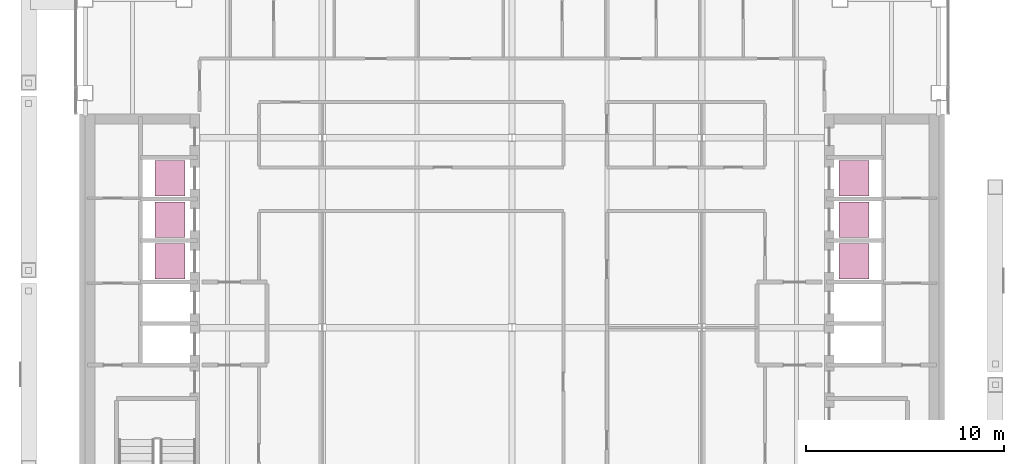
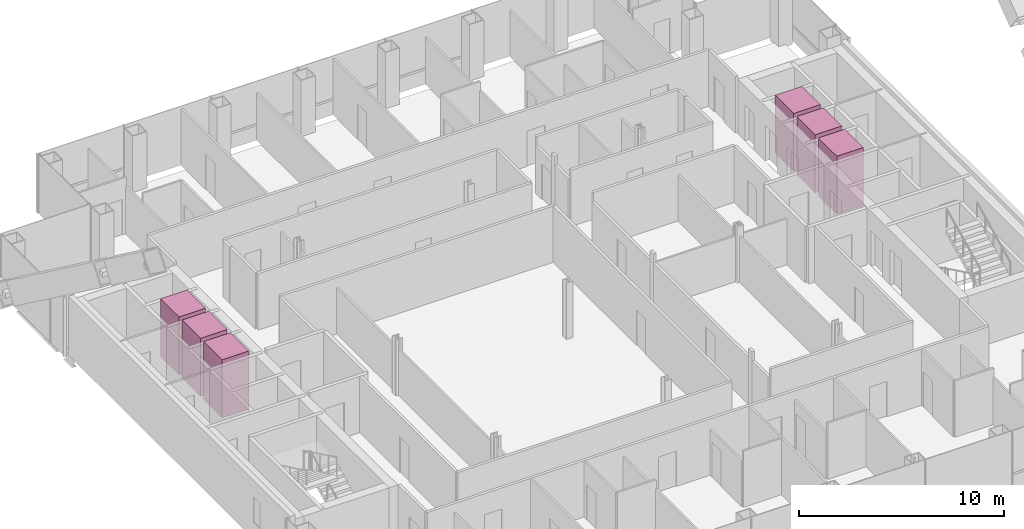
# One storey, part 18 of 18: 6 transport elements.
"""IFC4 building model written with IfcOpenShell, lengths in metres."""

from ifc_helpers import new_model, si_unit, direction, frame, origin, origin_2d, place, context, subcontext, project, spatial, rectangle, extrude, material, type_object, element, save


model = new_model("IFC4")

# Units and contexts
model_context = context("Model", 3, precision=1e-05, world=origin(), true_north=direction((0.0, 1.0)))
body_context = subcontext(model_context, "Body", "Model", "MODEL_VIEW")
ifc_project = project(units=[si_unit("LENGTHUNIT", "METRE"), si_unit("AREAUNIT", "SQUARE_METRE"), si_unit("VOLUMEUNIT", "CUBIC_METRE"), si_unit("PLANEANGLEUNIT", "RADIAN"), si_unit("MASSUNIT", "GRAM", prefix="KILO")], contexts=[model_context])

# Site, building, storey
site_placement = place(None, origin())
site = spatial("IfcSite", under=ifc_project, at=site_placement, CompositionType="ELEMENT")
building_placement = place(site_placement, origin())
building = spatial("IfcBuilding", under=site, at=building_placement, Name="Cobrizo Arcos Hotel Tower", CompositionType="ELEMENT")
storey_placement = place(building_placement, frame((0.0, 0.0, 158.5)))
storey = spatial("IfcBuildingStorey", under=building, at=storey_placement, Name="L40", CompositionType="ELEMENT", Elevation=158.5)

# Transport elements
ifc_material = material(Name="Stainless steel car", Category="steel")
transport_element_type = type_object("IfcTransportElementType", Name="Lift car High 1.8x1.5", PredefinedType="ELEVATOR", material=ifc_material)
for number, where, z_axis, x_axis, name in (
    (1, (-17.300048828125, 3.35009765625, 0.0), (0.0, 0.0, 1.0), (1.0, 0.0, 0.0), "High-rise passenger lift W1"),
    (2, (-17.300048828125, 5.449951171875, 0.0), (0.0, 0.0, 1.0), (1.0, 0.0, 0.0), "High-rise passenger lift W2"),
    (3, (-17.300048828125, 7.550048828125, 0.0), (0.0, 0.0, 1.0), (1.0, 0.0, 0.0), "High-rise passenger lift W3"),
    (4, (17.300048828125, 3.35009765625, 0.0), (0.0, 0.0, 1.0), (1.0, 0.0, 0.0), "High-rise passenger lift E1"),
    (5, (17.300048828125, 5.449951171875, 0.0), (0.0, 0.0, 1.0), (1.0, 0.0, 0.0), "High-rise passenger lift E2"),
    (6, (17.300048828125, 7.550048828125, 0.0), (0.0, 0.0, 1.0), (1.0, 0.0, 0.0), "High-rise passenger lift E3"),
):
    element("IfcTransportElement", number, at=place(storey_placement, frame(where, z_axis=z_axis, x_axis=x_axis)), inside=storey, type_object=transport_element_type, Name=name, PredefinedType="ELEVATOR", context=body_context, shape_type="SweptSolid", body=[
        extrude(rectangle(XDim=1.5, YDim=1.800048828125, at=origin_2d()), origin(), (0.0, 0.0, 1.0), 3.449951171875),
    ])

save(model, "model.ifc")
